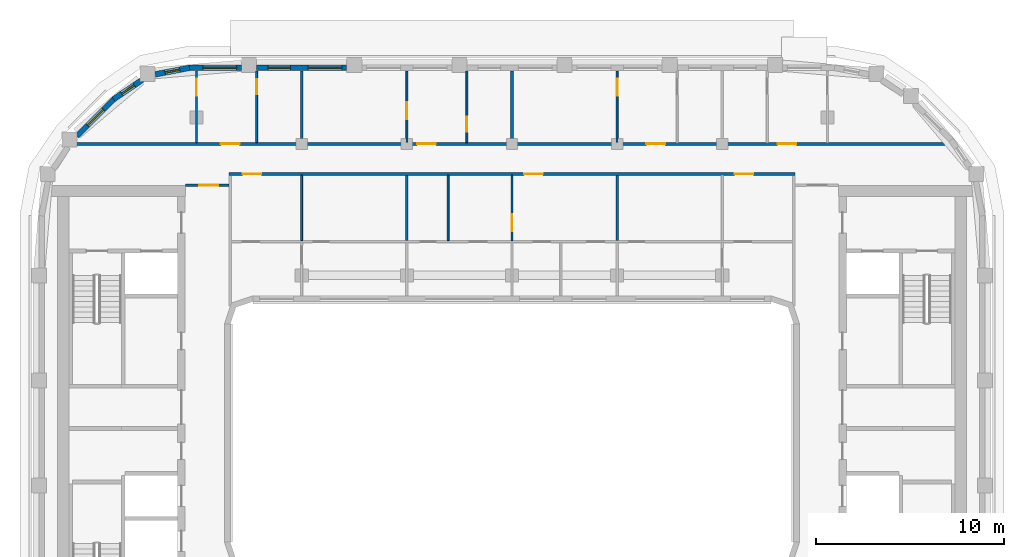
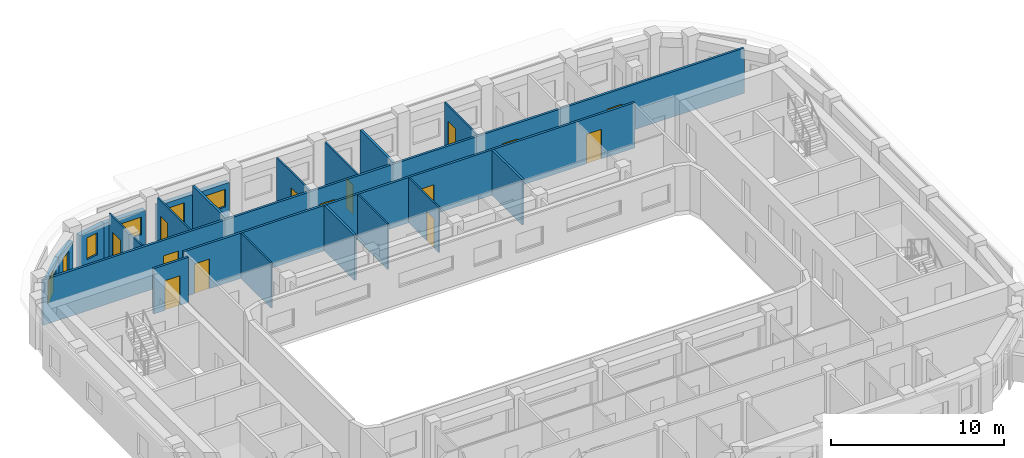
# One storey, part 7 of 16: 20 walls, 14 doors, 6 windows, 20 openings.
"""IFC4 building model written with IfcOpenShell, lengths in metres."""

from ifc_helpers import new_model, si_unit, direction, frame, frame_2d, origin, place, context, subcontext, project, spatial, rectangle, extrude, material, layer, layer_set, type_object, element, fill, save


model = new_model("IFC4")

# Units and contexts
model_context = context("Model", 3, precision=1e-05, world=origin(), true_north=direction((0.0, 1.0)))
body_context = subcontext(model_context, "Body", "Model", "MODEL_VIEW")
ifc_project = project(units=[si_unit("LENGTHUNIT", "METRE"), si_unit("AREAUNIT", "SQUARE_METRE"), si_unit("VOLUMEUNIT", "CUBIC_METRE"), si_unit("PLANEANGLEUNIT", "RADIAN"), si_unit("MASSUNIT", "GRAM", prefix="KILO")], contexts=[model_context])

# Site, building, storey
site_placement = place(None, origin())
site = spatial("IfcSite", under=ifc_project, at=site_placement, CompositionType="ELEMENT")
building_placement = place(site_placement, origin())
building = spatial("IfcBuilding", under=site, at=building_placement, Name="Kiln Ring Residences", CompositionType="ELEMENT")
storey_placement = place(building_placement, frame((0.0, 0.0, 255.699951171875)))
storey = spatial("IfcBuildingStorey", under=building, at=storey_placement, Name="L66", CompositionType="ELEMENT", Elevation=255.699951171875)

# Wall, openings, windows
ifc_material_1 = material(Name="Brick masonry, dark clay brick", Category="masonry")
ifc_layer_1 = layer(ifc_material_1, 0.300048828125)
ifc_layer_set_1 = layer_set([ifc_layer_1], Name="EW-300 BRICK WALL")
wall_type_1 = type_object("IfcWallType", Name="EW-300 BRICK WALL", PredefinedType="SOLIDWALL", material=ifc_layer_set_1)
wall_1_placement = place(storey_placement, frame((-8.800048828125, 19.449951171875, 0.0), z_axis=(0.0, 0.0, 1.0), x_axis=(-1.0, 0.0, 0.0)))
wall_1 = element("IfcWall", 1, at=wall_1_placement, inside=storey, type_object=wall_type_1, Name="Facade wall L66 31", PredefinedType="SOLIDWALL", context=body_context, shape_type="SweptSolid", body=[
    extrude(rectangle(XDim=4.800048828125, YDim=0.300048828125, at=frame_2d((2.39990234375, 0.0))), origin(), (0.0, 0.0, 1.0), 2.550048828125),
])
opening_1_placement = place(wall_1_placement, frame((0.262451171875, 0.0, 0.89990234375)))
opening_1 = element("IfcOpeningElement", 2, at=opening_1_placement, cuts=wall_1, Name="Opening W2", PredefinedType="OPENING", context=body_context, shape_type="SweptSolid", body=[
    extrude(rectangle(XDim=1.800048828125, YDim=1.25, at=frame_2d((0.89990234375, 0.625))), frame((0.0, 0.159912109375, 0.0), z_axis=(0.0, -1.0, 0.0), x_axis=(1.0, 0.0, 0.0)), (0.0, 0.0, 1.0), 0.320068359375),
])
opening_2_placement = place(wall_1_placement, frame((3.0, 0.0, 0.60009765625)))
opening_2 = element("IfcOpeningElement", 3, at=opening_2_placement, cuts=wall_1, Name="Opening W1", PredefinedType="OPENING", context=body_context, shape_type="SweptSolid", body=[
    extrude(rectangle(XDim=1.199951171875, YDim=1.550048828125, at=frame_2d((0.60009765625, 0.77490234375))), frame((0.0, 0.159912109375, 0.0), z_axis=(0.0, -1.0, 0.0), x_axis=(1.0, 0.0, 0.0)), (0.0, 0.0, 1.0), 0.320068359375),
])
ifc_material_2 = material(Name="Aluminium frame with double glazing", Category="aluminium")
window_type_1 = type_object("IfcWindowType", Name="WINDOW 1200 x 1550", PartitioningType="SINGLE_PANEL", PredefinedType="WINDOW", material=ifc_material_2)
window_1_placement = place(opening_2_placement, origin())
window_1 = element("IfcWindow", 4, at=window_1_placement, inside=storey, type_object=window_type_1, Name="Window L66 31", OverallHeight=1.550048828125, OverallWidth=1.199951171875, PartitioningType="SINGLE_PANEL", PredefinedType="WINDOW", context=body_context, shape_type="SweptSolid", body=[
    extrude(rectangle(XDim=1.199951171875, YDim=1.550048828125, at=frame_2d((0.60009765625, 0.77490234375))), frame((0.0, 0.030029296875, 0.0), z_axis=(0.0, -1.0, 0.0), x_axis=(1.0, 0.0, 0.0)), (0.0, 0.0, 1.0), 0.06005859375),
])
fill(opening_2, window_1)
ifc_material_3 = material(Name="Aluminium frame with double glazing", Category="aluminium")
window_type_2 = type_object("IfcWindowType", Name="WINDOW 1800 x 1250", PartitioningType="SINGLE_PANEL", PredefinedType="WINDOW", material=ifc_material_3)
window_2_placement = place(opening_1_placement, origin())
window_2 = element("IfcWindow", 5, at=window_2_placement, inside=storey, type_object=window_type_2, Name="Window L66 30", OverallHeight=1.25, OverallWidth=1.800048828125, PartitioningType="SINGLE_PANEL", PredefinedType="WINDOW", context=body_context, shape_type="SweptSolid", body=[
    extrude(rectangle(XDim=1.800048828125, YDim=1.25, at=frame_2d((0.89990234375, 0.625))), frame((0.0, 0.030029296875, 0.0), z_axis=(0.0, -1.0, 0.0), x_axis=(1.0, 0.0, 0.0)), (0.0, 0.0, 1.0), 0.06005859375),
])
fill(opening_1, window_2)

# Wall, opening, window
wall_2_placement = place(storey_placement, frame((-14.39990234375, 19.449951171875, 0.0), z_axis=(0.0, 0.0, 1.0), x_axis=(-1.0, 0.0, 0.0)))
wall_2 = element("IfcWall", 6, at=wall_2_placement, inside=storey, type_object=wall_type_1, Name="Facade wall L66 32", PredefinedType="SOLIDWALL", context=body_context, shape_type="SweptSolid", body=[
    extrude(rectangle(XDim=2.800048828125, YDim=0.300048828125, at=frame_2d((1.39990234375, 0.0))), origin(), (0.0, 0.0, 1.0), 2.550048828125),
])
opening_3_placement = place(wall_2_placement, frame((0.262451171875, 0.0, 0.89990234375)))
opening_3 = element("IfcOpeningElement", 7, at=opening_3_placement, cuts=wall_2, Name="Opening W2", PredefinedType="OPENING", context=body_context, shape_type="SweptSolid", body=[
    extrude(rectangle(XDim=1.800048828125, YDim=1.25, at=frame_2d((0.89990234375, 0.625))), frame((0.0, 0.159912109375, 0.0), z_axis=(0.0, -1.0, 0.0), x_axis=(1.0, 0.0, 0.0)), (0.0, 0.0, 1.0), 0.320068359375),
])
window_3_placement = place(opening_3_placement, origin())
window_3 = element("IfcWindow", 8, at=window_3_placement, inside=storey, type_object=window_type_2, Name="Window L66 32", OverallHeight=1.25, OverallWidth=1.800048828125, PartitioningType="SINGLE_PANEL", PredefinedType="WINDOW", context=body_context, shape_type="SweptSolid", body=[
    extrude(rectangle(XDim=1.800048828125, YDim=1.25, at=frame_2d((0.89990234375, 0.625))), frame((0.0, 0.030029296875, 0.0), z_axis=(0.0, -1.0, 0.0), x_axis=(1.0, 0.0, 0.0)), (0.0, 0.0, 1.0), 0.06005859375),
])
fill(opening_3, window_3)

wall_3_placement = place(storey_placement, frame((-17.171875, 19.45263671875, 0.0), z_axis=(0.0, 0.0, 1.0), x_axis=(-0.982301706131, -0.187305520826, 0.0)))
wall_3 = element("IfcWall", 9, at=wall_3_placement, inside=storey, type_object=wall_type_1, Name="Facade wall L66 33", PredefinedType="SOLIDWALL", context=body_context, shape_type="SweptSolid", body=[
    extrude(rectangle(XDim=1.856201171875, YDim=0.300048828125, at=frame_2d((0.92822265625, 0.0))), origin(), (0.0, 0.0, 1.0), 2.550048828125),
])
opening_4_placement = place(wall_3_placement, frame((0.528076171875, 0.0, 0.60009765625)))
opening_4 = element("IfcOpeningElement", 10, at=opening_4_placement, cuts=wall_3, Name="Opening W5", PredefinedType="OPENING", context=body_context, shape_type="SweptSolid", body=[
    extrude(rectangle(XDim=0.800048828125, YDim=1.550048828125, at=frame_2d((0.39990234375, 0.77490234375))), frame((0.0, 0.159912109375, 0.0), z_axis=(0.0, -1.0, 0.0), x_axis=(1.0, 0.0, 0.0)), (0.0, 0.0, 1.0), 0.320068359375),
])
ifc_material_4 = material(Name="Aluminium frame with double glazing", Category="aluminium")
window_type_3 = type_object("IfcWindowType", Name="WINDOW 800 x 1550", PartitioningType="SINGLE_PANEL", PredefinedType="WINDOW", material=ifc_material_4)
window_4_placement = place(opening_4_placement, origin())
window_4 = element("IfcWindow", 11, at=window_4_placement, inside=storey, type_object=window_type_3, Name="Window L66 33", OverallHeight=1.550048828125, OverallWidth=0.800048828125, PartitioningType="SINGLE_PANEL", PredefinedType="WINDOW", context=body_context, shape_type="SweptSolid", body=[
    extrude(rectangle(XDim=0.800048828125, YDim=1.550048828125, at=frame_2d((0.39990234375, 0.77490234375))), frame((0.0, 0.030029296875, 0.0), z_axis=(0.0, -1.0, 0.0), x_axis=(1.0, 0.0, 0.0)), (0.0, 0.0, 1.0), 0.06005859375),
])
fill(opening_4, window_4)

wall_4_placement = place(storey_placement, frame((-19.677734375, 18.822265625, 0.0), z_axis=(0.0, 0.0, 1.0), x_axis=(-0.826997446962, -0.562205676526, 0.0)))
wall_4 = element("IfcWall", 12, at=wall_4_placement, inside=storey, type_object=wall_type_1, Name="Facade wall L66 34", PredefinedType="SOLIDWALL", context=body_context, shape_type="SweptSolid", body=[
    extrude(rectangle(XDim=1.85595703125, YDim=0.300048828125, at=frame_2d((0.927978515625, 0.0))), origin(), (0.0, 0.0, 1.0), 2.550048828125),
])
opening_5_placement = place(wall_4_placement, frame((0.528076171875, 0.0, 0.60009765625)))
opening_5 = element("IfcOpeningElement", 13, at=opening_5_placement, cuts=wall_4, Name="Opening W5", PredefinedType="OPENING", context=body_context, shape_type="SweptSolid", body=[
    extrude(rectangle(XDim=0.800048828125, YDim=1.550048828125, at=frame_2d((0.39990234375, 0.77490234375))), frame((0.0, 0.159912109375, 0.0), z_axis=(0.0, -1.0, 0.0), x_axis=(1.0, 0.0, 0.0)), (0.0, 0.0, 1.0), 0.320068359375),
])
window_5_placement = place(opening_5_placement, origin())
window_5 = element("IfcWindow", 14, at=window_5_placement, inside=storey, type_object=window_type_3, Name="Window L66 34", OverallHeight=1.550048828125, OverallWidth=0.800048828125, PartitioningType="SINGLE_PANEL", PredefinedType="WINDOW", context=body_context, shape_type="SweptSolid", body=[
    extrude(rectangle(XDim=0.800048828125, YDim=1.550048828125, at=frame_2d((0.39990234375, 0.77490234375))), frame((0.0, 0.030029296875, 0.0), z_axis=(0.0, -1.0, 0.0), x_axis=(1.0, 0.0, 0.0)), (0.0, 0.0, 1.0), 0.06005859375),
])
fill(opening_5, window_5)

wall_5_placement = place(storey_placement, frame((-21.19091796875, 17.796875, 0.0), z_axis=(0.0, 0.0, 1.0), x_axis=(-0.707106781187, -0.707106781187, 0.0)))
wall_5 = element("IfcWall", 15, at=wall_5_placement, inside=storey, type_object=wall_type_1, Name="Facade wall L66 35", PredefinedType="SOLIDWALL", context=body_context, shape_type="SweptSolid", body=[
    extrude(rectangle(XDim=2.800048828125, YDim=0.300048828125, at=frame_2d((1.39990234375, 0.0))), origin(), (0.0, 0.0, 1.0), 2.550048828125),
])
opening_6_placement = place(wall_5_placement, frame((0.800048828125, 0.0, 0.60009765625)))
opening_6 = element("IfcOpeningElement", 16, at=opening_6_placement, cuts=wall_5, Name="Opening W1", PredefinedType="OPENING", context=body_context, shape_type="SweptSolid", body=[
    extrude(rectangle(XDim=1.199951171875, YDim=1.550048828125, at=frame_2d((0.60009765625, 0.77490234375))), frame((0.0, 0.159912109375, 0.0), z_axis=(0.0, -1.0, 0.0), x_axis=(1.0, 0.0, 0.0)), (0.0, 0.0, 1.0), 0.320068359375),
])
window_6_placement = place(opening_6_placement, origin())
window_6 = element("IfcWindow", 17, at=window_6_placement, inside=storey, type_object=window_type_1, Name="Window L66 35", OverallHeight=1.550048828125, OverallWidth=1.199951171875, PartitioningType="SINGLE_PANEL", PredefinedType="WINDOW", context=body_context, shape_type="SweptSolid", body=[
    extrude(rectangle(XDim=1.199951171875, YDim=1.550048828125, at=frame_2d((0.60009765625, 0.77490234375))), frame((0.0, 0.030029296875, 0.0), z_axis=(0.0, -1.0, 0.0), x_axis=(1.0, 0.0, 0.0)), (0.0, 0.0, 1.0), 0.06005859375),
])
fill(opening_6, window_6)

# Wall, opening, door
ifc_material_5 = material(Name="Gypsum board on steel studs", Category="steel")
ifc_layer_2 = layer(ifc_material_5, 0.10009765625)
ifc_layer_set_2 = layer_set([ifc_layer_2], Name="PARTITION-100")
wall_type_2 = type_object("IfcWallType", Name="PARTITION-100", PredefinedType="PARTITIONING", material=ifc_layer_set_2)
wall_6_placement = place(storey_placement, frame((-16.800048828125, 15.47509765625, 0.0), z_axis=(0.0, 0.0, 1.0), x_axis=(0.0, 1.0, 0.0)))
wall_6 = element("IfcWall", 18, at=wall_6_placement, inside=storey, type_object=wall_type_2, Name="Partition 011", PredefinedType="PARTITIONING", context=body_context, shape_type="SweptSolid", body=[
    extrude(rectangle(XDim=3.804931640625, YDim=0.10009765625, at=frame_2d((1.90234375, 0.0))), origin(), (0.0, 0.0, 1.0), 3.199951171875),
])
opening_7_placement = place(wall_6_placement, frame((2.485107421875, 0.0, 0.0)))
opening_7 = element("IfcOpeningElement", 19, at=opening_7_placement, cuts=wall_6, Name="Opening L66-D021", PredefinedType="OPENING", context=body_context, shape_type="SweptSolid", body=[
    extrude(rectangle(XDim=0.89990234375, YDim=2.10009765625, at=frame_2d((0.449951171875, 1.050048828125))), frame((0.0, 0.06005859375, 0.0), z_axis=(0.0, -1.0, 0.0), x_axis=(1.0, 0.0, 0.0)), (0.0, 0.0, 1.0), 0.1201171875),
])
ifc_material_6 = material(Name="Timber door leaf", Category="wood")
door_type_1 = type_object("IfcDoorType", Name="FLAT-DOOR-900-PL", OperationType="SINGLE_SWING_LEFT", PredefinedType="DOOR", material=ifc_material_6)
door_1_placement = place(opening_7_placement, origin())
door_1 = element("IfcDoor", 20, at=door_1_placement, inside=storey, type_object=door_type_1, Name="Door L66-D021", OperationType="SINGLE_SWING_LEFT", OverallHeight=2.10009765625, OverallWidth=0.89990234375, PredefinedType="DOOR", context=body_context, shape_type="SweptSolid", body=[
    extrude(rectangle(XDim=0.89990234375, YDim=2.10009765625, at=frame_2d((0.449951171875, 1.050048828125))), frame((0.0, 0.02490234375, 0.0), z_axis=(0.0, -1.0, 0.0), x_axis=(1.0, 0.0, 0.0)), (0.0, 0.0, 1.0), 0.050048828125),
])
fill(opening_7, door_1)

wall_7_placement = place(storey_placement, frame((-13.60009765625, 15.47509765625, 0.0), z_axis=(0.0, 0.0, 1.0), x_axis=(0.0, 1.0, 0.0)))
wall_7 = element("IfcWall", 21, at=wall_7_placement, inside=storey, type_object=wall_type_2, Name="Partition 015", PredefinedType="PARTITIONING", context=body_context, shape_type="SweptSolid", body=[
    extrude(rectangle(XDim=3.804931640625, YDim=0.10009765625, at=frame_2d((1.90234375, 0.0))), origin(), (0.0, 0.0, 1.0), 3.199951171875),
])
opening_8_placement = place(wall_7_placement, frame((2.575927734375, 0.0, 0.0)))
opening_8 = element("IfcOpeningElement", 22, at=opening_8_placement, cuts=wall_7, Name="Opening L66-D020", PredefinedType="OPENING", context=body_context, shape_type="SweptSolid", body=[
    extrude(rectangle(XDim=0.800048828125, YDim=2.10009765625, at=frame_2d((0.39990234375, 1.050048828125))), frame((0.0, 0.06005859375, 0.0), z_axis=(0.0, -1.0, 0.0), x_axis=(1.0, 0.0, 0.0)), (0.0, 0.0, 1.0), 0.1201171875),
])
ifc_material_7 = material(Name="Timber door leaf", Category="wood")
door_type_2 = type_object("IfcDoorType", Name="FLAT-DOOR-800-PL", OperationType="SINGLE_SWING_LEFT", PredefinedType="DOOR", material=ifc_material_7)
door_2_placement = place(opening_8_placement, origin())
door_2 = element("IfcDoor", 23, at=door_2_placement, inside=storey, type_object=door_type_2, Name="Door L66-D020", OperationType="SINGLE_SWING_RIGHT", OverallHeight=2.10009765625, OverallWidth=0.800048828125, PredefinedType="DOOR", context=body_context, shape_type="SweptSolid", body=[
    extrude(rectangle(XDim=0.800048828125, YDim=2.10009765625, at=frame_2d((0.39990234375, 1.050048828125))), frame((0.0, 0.02490234375, 0.0), z_axis=(0.0, -1.0, 0.0), x_axis=(1.0, 0.0, 0.0)), (0.0, 0.0, 1.0), 0.050048828125),
])
fill(opening_8, door_2)

# Wall
wall_8_placement = place(storey_placement, frame((-11.199951171875, 10.25, 0.0), z_axis=(0.0, 0.0, 1.0), x_axis=(0.0, 1.0, 0.0)))
element("IfcWall", 24, at=wall_8_placement, inside=storey, type_object=wall_type_2, Name="Partition 019", PredefinedType="PARTITIONING", context=body_context, shape_type="SweptSolid", body=[
    extrude(rectangle(XDim=3.47509765625, YDim=0.10009765625, at=frame_2d((1.737548828125, 0.0))), origin(), (0.0, 0.0, 1.0), 3.199951171875),
])

# Wall, opening, door
wall_9_placement = place(storey_placement, frame((-5.60009765625, 15.47509765625, 0.0), z_axis=(0.0, 0.0, 1.0), x_axis=(0.0, 1.0, 0.0)))
wall_9 = element("IfcWall", 25, at=wall_9_placement, inside=storey, type_object=wall_type_2, Name="Partition 024", PredefinedType="PARTITIONING", context=body_context, shape_type="SweptSolid", body=[
    extrude(rectangle(XDim=3.804931640625, YDim=0.10009765625, at=frame_2d((1.90234375, 0.0))), origin(), (0.0, 0.0, 1.0), 3.199951171875),
])
opening_9_placement = place(wall_9_placement, frame((1.235107421875, 0.0, 0.0)))
opening_9 = element("IfcOpeningElement", 26, at=opening_9_placement, cuts=wall_9, Name="Opening L66-D024", PredefinedType="OPENING", context=body_context, shape_type="SweptSolid", body=[
    extrude(rectangle(XDim=0.89990234375, YDim=2.10009765625, at=frame_2d((0.449951171875, 1.050048828125))), frame((0.0, 0.06005859375, 0.0), z_axis=(0.0, -1.0, 0.0), x_axis=(1.0, 0.0, 0.0)), (0.0, 0.0, 1.0), 0.1201171875),
])
door_3_placement = place(opening_9_placement, origin())
door_3 = element("IfcDoor", 27, at=door_3_placement, inside=storey, type_object=door_type_1, Name="Door L66-D024", OperationType="SINGLE_SWING_RIGHT", OverallHeight=2.10009765625, OverallWidth=0.89990234375, PredefinedType="DOOR", context=body_context, shape_type="SweptSolid", body=[
    extrude(rectangle(XDim=0.89990234375, YDim=2.10009765625, at=frame_2d((0.449951171875, 1.050048828125))), frame((0.0, 0.02490234375, 0.0), z_axis=(0.0, -1.0, 0.0), x_axis=(1.0, 0.0, 0.0)), (0.0, 0.0, 1.0), 0.050048828125),
])
fill(opening_9, door_3)

# Wall
wall_10_placement = place(storey_placement, frame((-3.39990234375, 10.25, 0.0), z_axis=(0.0, 0.0, 1.0), x_axis=(0.0, 1.0, 0.0)))
element("IfcWall", 28, at=wall_10_placement, inside=storey, type_object=wall_type_2, Name="Partition 029", PredefinedType="PARTITIONING", context=body_context, shape_type="SweptSolid", body=[
    extrude(rectangle(XDim=3.47509765625, YDim=0.10009765625, at=frame_2d((1.737548828125, 0.0))), origin(), (0.0, 0.0, 1.0), 3.199951171875),
])

# Wall, opening, door
wall_11_placement = place(storey_placement, frame((-2.39990234375, 15.47509765625, 0.0), z_axis=(0.0, 0.0, 1.0), x_axis=(0.0, 1.0, 0.0)))
wall_11 = element("IfcWall", 29, at=wall_11_placement, inside=storey, type_object=wall_type_2, Name="Partition 030", PredefinedType="PARTITIONING", context=body_context, shape_type="SweptSolid", body=[
    extrude(rectangle(XDim=3.804931640625, YDim=0.10009765625, at=frame_2d((1.90234375, 0.0))), origin(), (0.0, 0.0, 1.0), 3.199951171875),
])
opening_10_placement = place(wall_11_placement, frame((0.575927734375, 0.0, 0.0)))
opening_10 = element("IfcOpeningElement", 30, at=opening_10_placement, cuts=wall_11, Name="Opening L66-D023", PredefinedType="OPENING", context=body_context, shape_type="SweptSolid", body=[
    extrude(rectangle(XDim=0.800048828125, YDim=2.10009765625, at=frame_2d((0.39990234375, 1.050048828125))), frame((0.0, 0.06005859375, 0.0), z_axis=(0.0, -1.0, 0.0), x_axis=(1.0, 0.0, 0.0)), (0.0, 0.0, 1.0), 0.1201171875),
])
door_4_placement = place(opening_10_placement, origin())
door_4 = element("IfcDoor", 31, at=door_4_placement, inside=storey, type_object=door_type_2, Name="Door L66-D023", OperationType="SINGLE_SWING_LEFT", OverallHeight=2.10009765625, OverallWidth=0.800048828125, PredefinedType="DOOR", context=body_context, shape_type="SweptSolid", body=[
    extrude(rectangle(XDim=0.800048828125, YDim=2.10009765625, at=frame_2d((0.39990234375, 1.050048828125))), frame((0.0, 0.02490234375, 0.0), z_axis=(0.0, -1.0, 0.0), x_axis=(1.0, 0.0, 0.0)), (0.0, 0.0, 1.0), 0.050048828125),
])
fill(opening_10, door_4)

wall_12_placement = place(storey_placement, frame((0.0, 10.25, 0.0), z_axis=(0.0, 0.0, 1.0), x_axis=(0.0, 1.0, 0.0)))
wall_12 = element("IfcWall", 32, at=wall_12_placement, inside=storey, type_object=wall_type_2, Name="Partition 033", PredefinedType="PARTITIONING", context=body_context, shape_type="SweptSolid", body=[
    extrude(rectangle(XDim=3.47509765625, YDim=0.10009765625, at=frame_2d((1.737548828125, 0.0))), origin(), (0.0, 0.0, 1.0), 3.199951171875),
])
opening_11_placement = place(wall_12_placement, frame((0.4990234375, 0.0, 0.0)))
opening_11 = element("IfcOpeningElement", 33, at=opening_11_placement, cuts=wall_12, Name="Opening L66-D010", PredefinedType="OPENING", context=body_context, shape_type="SweptSolid", body=[
    extrude(rectangle(XDim=0.89990234375, YDim=2.10009765625, at=frame_2d((0.449951171875, 1.050048828125))), frame((0.0, 0.06005859375, 0.0), z_axis=(0.0, -1.0, 0.0), x_axis=(1.0, 0.0, 0.0)), (0.0, 0.0, 1.0), 0.1201171875),
])
door_5_placement = place(opening_11_placement, origin())
door_5 = element("IfcDoor", 34, at=door_5_placement, inside=storey, type_object=door_type_1, Name="Door L66-D010", OperationType="SINGLE_SWING_RIGHT", OverallHeight=2.10009765625, OverallWidth=0.89990234375, PredefinedType="DOOR", context=body_context, shape_type="SweptSolid", body=[
    extrude(rectangle(XDim=0.89990234375, YDim=2.10009765625, at=frame_2d((0.449951171875, 1.050048828125))), frame((0.0, 0.02490234375, 0.0), z_axis=(0.0, -1.0, 0.0), x_axis=(1.0, 0.0, 0.0)), (0.0, 0.0, 1.0), 0.050048828125),
])
fill(opening_11, door_5)

wall_13_placement = place(storey_placement, frame((5.60009765625, 15.47509765625, 0.0), z_axis=(0.0, 0.0, 1.0), x_axis=(0.0, 1.0, 0.0)))
wall_13 = element("IfcWall", 35, at=wall_13_placement, inside=storey, type_object=wall_type_2, Name="Partition 042", PredefinedType="PARTITIONING", context=body_context, shape_type="SweptSolid", body=[
    extrude(rectangle(XDim=3.804931640625, YDim=0.10009765625, at=frame_2d((1.90234375, 0.0))), origin(), (0.0, 0.0, 1.0), 3.199951171875),
])
opening_12_placement = place(wall_13_placement, frame((2.485107421875, 0.0, 0.0)))
opening_12 = element("IfcOpeningElement", 36, at=opening_12_placement, cuts=wall_13, Name="Opening L66-D027", PredefinedType="OPENING", context=body_context, shape_type="SweptSolid", body=[
    extrude(rectangle(XDim=0.89990234375, YDim=2.10009765625, at=frame_2d((0.449951171875, 1.050048828125))), frame((0.0, 0.06005859375, 0.0), z_axis=(0.0, -1.0, 0.0), x_axis=(1.0, 0.0, 0.0)), (0.0, 0.0, 1.0), 0.1201171875),
])
door_6_placement = place(opening_12_placement, origin())
door_6 = element("IfcDoor", 37, at=door_6_placement, inside=storey, type_object=door_type_1, Name="Door L66-D027", OperationType="SINGLE_SWING_LEFT", OverallHeight=2.10009765625, OverallWidth=0.89990234375, PredefinedType="DOOR", context=body_context, shape_type="SweptSolid", body=[
    extrude(rectangle(XDim=0.89990234375, YDim=2.10009765625, at=frame_2d((0.449951171875, 1.050048828125))), frame((0.0, 0.02490234375, 0.0), z_axis=(0.0, -1.0, 0.0), x_axis=(1.0, 0.0, 0.0)), (0.0, 0.0, 1.0), 0.050048828125),
])
fill(opening_12, door_6)

ifc_material_8 = material(Name="Brick masonry partition", Category="masonry")
ifc_layer_3 = layer(ifc_material_8, 0.14990234375)
ifc_layer_set_3 = layer_set([ifc_layer_3], Name="PARTITION-150-ei60")
wall_type_3 = type_object("IfcWallType", Name="PARTITION-150-ei60", PredefinedType="PARTITIONING", material=ifc_layer_set_3)
wall_14_placement = place(storey_placement, frame((-17.39990234375, 13.199951171875, 0.0), z_axis=(0.0, 0.0, 1.0), x_axis=(1.0, 0.0, 0.0)))
wall_14 = element("IfcWall", 38, at=wall_14_placement, inside=storey, type_object=wall_type_3, Name="Partition 006", PredefinedType="PARTITIONING", context=body_context, shape_type="SweptSolid", body=[
    extrude(rectangle(XDim=2.324951171875, YDim=0.14990234375, at=frame_2d((1.16259765625, 0.0))), origin(), (0.0, 0.0, 1.0), 3.199951171875),
])
opening_13_placement = place(wall_14_placement, frame((0.75, 0.0, 0.0)))
opening_13 = element("IfcOpeningElement", 39, at=opening_13_placement, cuts=wall_14, Name="Opening L66-D001", PredefinedType="OPENING", context=body_context, shape_type="SweptSolid", body=[
    extrude(rectangle(XDim=1.0, YDim=2.10009765625, at=frame_2d((0.5, 1.050048828125))), frame((0.0, 0.0849609375, 0.0), z_axis=(0.0, -1.0, 0.0), x_axis=(1.0, 0.0, 0.0)), (0.0, 0.0, 1.0), 0.169921875),
])
ifc_material_9 = material(Name="Steel faced fire door leaf", Category="steel")
door_type_3 = type_object("IfcDoorType", Name="FLAT-DOOR-1000-FR", OperationType="SINGLE_SWING_LEFT", PredefinedType="DOOR", material=ifc_material_9)
door_7_placement = place(opening_13_placement, origin())
door_7 = element("IfcDoor", 40, at=door_7_placement, inside=storey, type_object=door_type_3, Name="Door L66-D001", OperationType="SINGLE_SWING_RIGHT", OverallHeight=2.10009765625, OverallWidth=1.0, PredefinedType="DOOR", context=body_context, shape_type="SweptSolid", body=[
    extrude(rectangle(XDim=1.0, YDim=2.10009765625, at=frame_2d((0.5, 1.050048828125))), frame((0.0, 0.02490234375, 0.0), z_axis=(0.0, -1.0, 0.0), x_axis=(1.0, 0.0, 0.0)), (0.0, 0.0, 1.0), 0.050048828125),
])
fill(opening_13, door_7)

# Wall, openings, doors
wall_15_placement = place(storey_placement, frame((-15.074951171875, 13.800048828125, 0.0), z_axis=(0.0, 0.0, 1.0), x_axis=(1.0, 0.0, 0.0)))
wall_15 = element("IfcWall", 41, at=wall_15_placement, inside=storey, type_object=wall_type_3, Name="Partition 008", PredefinedType="PARTITIONING", context=body_context, shape_type="SweptSolid", body=[
    extrude(rectangle(XDim=30.14990234375, YDim=0.14990234375, at=frame_2d((15.074951171875, 0.0))), origin(), (0.0, 0.0, 1.0), 3.199951171875),
])
opening_14_placement = place(wall_15_placement, frame((0.72607421875, 0.0, 0.0)))
opening_14 = element("IfcOpeningElement", 42, at=opening_14_placement, cuts=wall_15, Name="Opening L66-D005", PredefinedType="OPENING", context=body_context, shape_type="SweptSolid", body=[
    extrude(rectangle(XDim=1.0, YDim=2.10009765625, at=frame_2d((0.5, 1.050048828125))), frame((0.0, 0.0849609375, 0.0), z_axis=(0.0, -1.0, 0.0), x_axis=(1.0, 0.0, 0.0)), (0.0, 0.0, 1.0), 0.169921875),
])
opening_15_placement = place(wall_15_placement, frame((15.72509765625, 0.0, 0.0)))
opening_15 = element("IfcOpeningElement", 43, at=opening_15_placement, cuts=wall_15, Name="Opening L66-D009", PredefinedType="OPENING", context=body_context, shape_type="SweptSolid", body=[
    extrude(rectangle(XDim=1.0, YDim=2.10009765625, at=frame_2d((0.5, 1.050048828125))), frame((0.0, 0.0849609375, 0.0), z_axis=(0.0, -1.0, 0.0), x_axis=(1.0, 0.0, 0.0)), (0.0, 0.0, 1.0), 0.169921875),
])
opening_16_placement = place(wall_15_placement, frame((26.925048828125, 0.0, 0.0)))
opening_16 = element("IfcOpeningElement", 44, at=opening_16_placement, cuts=wall_15, Name="Opening L66-D015", PredefinedType="OPENING", context=body_context, shape_type="SweptSolid", body=[
    extrude(rectangle(XDim=1.0, YDim=2.10009765625, at=frame_2d((0.5, 1.050048828125))), frame((0.0, 0.0849609375, 0.0), z_axis=(0.0, -1.0, 0.0), x_axis=(1.0, 0.0, 0.0)), (0.0, 0.0, 1.0), 0.169921875),
])
door_8_placement = place(opening_14_placement, origin())
door_8 = element("IfcDoor", 45, at=door_8_placement, inside=storey, type_object=door_type_3, Name="Door L66-D005", OperationType="SINGLE_SWING_LEFT", OverallHeight=2.10009765625, OverallWidth=1.0, PredefinedType="DOOR", context=body_context, shape_type="SweptSolid", body=[
    extrude(rectangle(XDim=1.0, YDim=2.10009765625, at=frame_2d((0.5, 1.050048828125))), frame((0.0, 0.02490234375, 0.0), z_axis=(0.0, -1.0, 0.0), x_axis=(1.0, 0.0, 0.0)), (0.0, 0.0, 1.0), 0.050048828125),
])
fill(opening_14, door_8)
door_9_placement = place(opening_15_placement, origin())
door_9 = element("IfcDoor", 46, at=door_9_placement, inside=storey, type_object=door_type_3, Name="Door L66-D009", OperationType="SINGLE_SWING_LEFT", OverallHeight=2.10009765625, OverallWidth=1.0, PredefinedType="DOOR", context=body_context, shape_type="SweptSolid", body=[
    extrude(rectangle(XDim=1.0, YDim=2.10009765625, at=frame_2d((0.5, 1.050048828125))), frame((0.0, 0.02490234375, 0.0), z_axis=(0.0, -1.0, 0.0), x_axis=(1.0, 0.0, 0.0)), (0.0, 0.0, 1.0), 0.050048828125),
])
fill(opening_15, door_9)
door_10_placement = place(opening_16_placement, origin())
door_10 = element("IfcDoor", 47, at=door_10_placement, inside=storey, type_object=door_type_3, Name="Door L66-D015", OperationType="SINGLE_SWING_LEFT", OverallHeight=2.10009765625, OverallWidth=1.0, PredefinedType="DOOR", context=body_context, shape_type="SweptSolid", body=[
    extrude(rectangle(XDim=1.0, YDim=2.10009765625, at=frame_2d((0.5, 1.050048828125))), frame((0.0, 0.02490234375, 0.0), z_axis=(0.0, -1.0, 0.0), x_axis=(1.0, 0.0, 0.0)), (0.0, 0.0, 1.0), 0.050048828125),
])
fill(opening_16, door_10)

wall_16_placement = place(storey_placement, frame((-23.550048828125, 15.39990234375, 0.0), z_axis=(0.0, 0.0, 1.0), x_axis=(1.0, 0.0, 0.0)))
wall_16 = element("IfcWall", 48, at=wall_16_placement, inside=storey, type_object=wall_type_3, Name="Partition 009", PredefinedType="PARTITIONING", context=body_context, shape_type="SweptSolid", body=[
    extrude(rectangle(XDim=46.8720703125, YDim=0.14990234375, at=frame_2d((23.43603515625, 0.0))), origin(), (0.0, 0.0, 1.0), 3.199951171875),
])
opening_17_placement = place(wall_16_placement, frame((8.050048828125, 0.0, 0.0)))
opening_17 = element("IfcOpeningElement", 49, at=opening_17_placement, cuts=wall_16, Name="Opening L66-D019", PredefinedType="OPENING", context=body_context, shape_type="SweptSolid", body=[
    extrude(rectangle(XDim=1.0, YDim=2.10009765625, at=frame_2d((0.5, 1.050048828125))), frame((0.0, 0.0849609375, 0.0), z_axis=(0.0, -1.0, 0.0), x_axis=(1.0, 0.0, 0.0)), (0.0, 0.0, 1.0), 0.169921875),
])
opening_18_placement = place(wall_16_placement, frame((18.5, 0.0, 0.0)))
opening_18 = element("IfcOpeningElement", 50, at=opening_18_placement, cuts=wall_16, Name="Opening L66-D022", PredefinedType="OPENING", context=body_context, shape_type="SweptSolid", body=[
    extrude(rectangle(XDim=1.0, YDim=2.10009765625, at=frame_2d((0.5, 1.050048828125))), frame((0.0, 0.0849609375, 0.0), z_axis=(0.0, -1.0, 0.0), x_axis=(1.0, 0.0, 0.0)), (0.0, 0.0, 1.0), 0.169921875),
])
opening_19_placement = place(wall_16_placement, frame((30.699951171875, 0.0, 0.0)))
opening_19 = element("IfcOpeningElement", 51, at=opening_19_placement, cuts=wall_16, Name="Opening L66-D025", PredefinedType="OPENING", context=body_context, shape_type="SweptSolid", body=[
    extrude(rectangle(XDim=1.0, YDim=2.10009765625, at=frame_2d((0.5, 1.050048828125))), frame((0.0, 0.0849609375, 0.0), z_axis=(0.0, -1.0, 0.0), x_axis=(1.0, 0.0, 0.0)), (0.0, 0.0, 1.0), 0.169921875),
])
opening_20_placement = place(wall_16_placement, frame((37.699951171875, 0.0, 0.0)))
opening_20 = element("IfcOpeningElement", 52, at=opening_20_placement, cuts=wall_16, Name="Opening L66-D028", PredefinedType="OPENING", context=body_context, shape_type="SweptSolid", body=[
    extrude(rectangle(XDim=1.0, YDim=2.10009765625, at=frame_2d((0.5, 1.050048828125))), frame((0.0, 0.0849609375, 0.0), z_axis=(0.0, -1.0, 0.0), x_axis=(1.0, 0.0, 0.0)), (0.0, 0.0, 1.0), 0.169921875),
])
door_11_placement = place(opening_17_placement, origin())
door_11 = element("IfcDoor", 53, at=door_11_placement, inside=storey, type_object=door_type_3, Name="Door L66-D019", OperationType="SINGLE_SWING_LEFT", OverallHeight=2.10009765625, OverallWidth=1.0, PredefinedType="DOOR", context=body_context, shape_type="SweptSolid", body=[
    extrude(rectangle(XDim=1.0, YDim=2.10009765625, at=frame_2d((0.5, 1.050048828125))), frame((0.0, 0.02490234375, 0.0), z_axis=(0.0, -1.0, 0.0), x_axis=(1.0, 0.0, 0.0)), (0.0, 0.0, 1.0), 0.050048828125),
])
fill(opening_17, door_11)
door_12_placement = place(opening_18_placement, origin())
door_12 = element("IfcDoor", 54, at=door_12_placement, inside=storey, type_object=door_type_3, Name="Door L66-D022", OperationType="SINGLE_SWING_RIGHT", OverallHeight=2.10009765625, OverallWidth=1.0, PredefinedType="DOOR", context=body_context, shape_type="SweptSolid", body=[
    extrude(rectangle(XDim=1.0, YDim=2.10009765625, at=frame_2d((0.5, 1.050048828125))), frame((0.0, 0.02490234375, 0.0), z_axis=(0.0, -1.0, 0.0), x_axis=(1.0, 0.0, 0.0)), (0.0, 0.0, 1.0), 0.050048828125),
])
fill(opening_18, door_12)
door_13_placement = place(opening_19_placement, origin())
door_13 = element("IfcDoor", 55, at=door_13_placement, inside=storey, type_object=door_type_3, Name="Door L66-D025", OperationType="SINGLE_SWING_LEFT", OverallHeight=2.10009765625, OverallWidth=1.0, PredefinedType="DOOR", context=body_context, shape_type="SweptSolid", body=[
    extrude(rectangle(XDim=1.0, YDim=2.10009765625, at=frame_2d((0.5, 1.050048828125))), frame((0.0, 0.02490234375, 0.0), z_axis=(0.0, -1.0, 0.0), x_axis=(1.0, 0.0, 0.0)), (0.0, 0.0, 1.0), 0.050048828125),
])
fill(opening_19, door_13)
door_14_placement = place(opening_20_placement, origin())
door_14 = element("IfcDoor", 56, at=door_14_placement, inside=storey, type_object=door_type_3, Name="Door L66-D028", OperationType="SINGLE_SWING_RIGHT", OverallHeight=2.10009765625, OverallWidth=1.0, PredefinedType="DOOR", context=body_context, shape_type="SweptSolid", body=[
    extrude(rectangle(XDim=1.0, YDim=2.10009765625, at=frame_2d((0.5, 1.050048828125))), frame((0.0, 0.02490234375, 0.0), z_axis=(0.0, -1.0, 0.0), x_axis=(1.0, 0.0, 0.0)), (0.0, 0.0, 1.0), 0.050048828125),
])
fill(opening_20, door_14)

# Walls
wall_17_placement = place(storey_placement, frame((-11.199951171875, 15.47509765625, 0.0), z_axis=(0.0, 0.0, 1.0), x_axis=(0.0, 1.0, 0.0)))
element("IfcWall", 57, at=wall_17_placement, inside=storey, type_object=wall_type_3, Name="Partition 021", PredefinedType="PARTITIONING", context=body_context, shape_type="SweptSolid", body=[
    extrude(rectangle(XDim=3.804931640625, YDim=0.14990234375, at=frame_2d((1.90234375, 0.0))), origin(), (0.0, 0.0, 1.0), 3.199951171875),
])
wall_18_placement = place(storey_placement, frame((-5.60009765625, 10.25, 0.0), z_axis=(0.0, 0.0, 1.0), x_axis=(0.0, 1.0, 0.0)))
element("IfcWall", 58, at=wall_18_placement, inside=storey, type_object=wall_type_3, Name="Partition 028", PredefinedType="PARTITIONING", context=body_context, shape_type="SweptSolid", body=[
    extrude(rectangle(XDim=3.47509765625, YDim=0.14990234375, at=frame_2d((1.737548828125, 0.0))), origin(), (0.0, 0.0, 1.0), 3.199951171875),
])
wall_19_placement = place(storey_placement, frame((0.0, 15.47509765625, 0.0), z_axis=(0.0, 0.0, 1.0), x_axis=(0.0, 1.0, 0.0)))
element("IfcWall", 59, at=wall_19_placement, inside=storey, type_object=wall_type_3, Name="Partition 037", PredefinedType="PARTITIONING", context=body_context, shape_type="SweptSolid", body=[
    extrude(rectangle(XDim=3.804931640625, YDim=0.14990234375, at=frame_2d((1.90234375, 0.0))), origin(), (0.0, 0.0, 1.0), 3.199951171875),
])
wall_20_placement = place(storey_placement, frame((5.60009765625, 10.25, 0.0), z_axis=(0.0, 0.0, 1.0), x_axis=(0.0, 1.0, 0.0)))
element("IfcWall", 60, at=wall_20_placement, inside=storey, type_object=wall_type_3, Name="Partition 046", PredefinedType="PARTITIONING", context=body_context, shape_type="SweptSolid", body=[
    extrude(rectangle(XDim=3.47509765625, YDim=0.14990234375, at=frame_2d((1.737548828125, 0.0))), origin(), (0.0, 0.0, 1.0), 3.199951171875),
])

save(model, "model.ifc")
